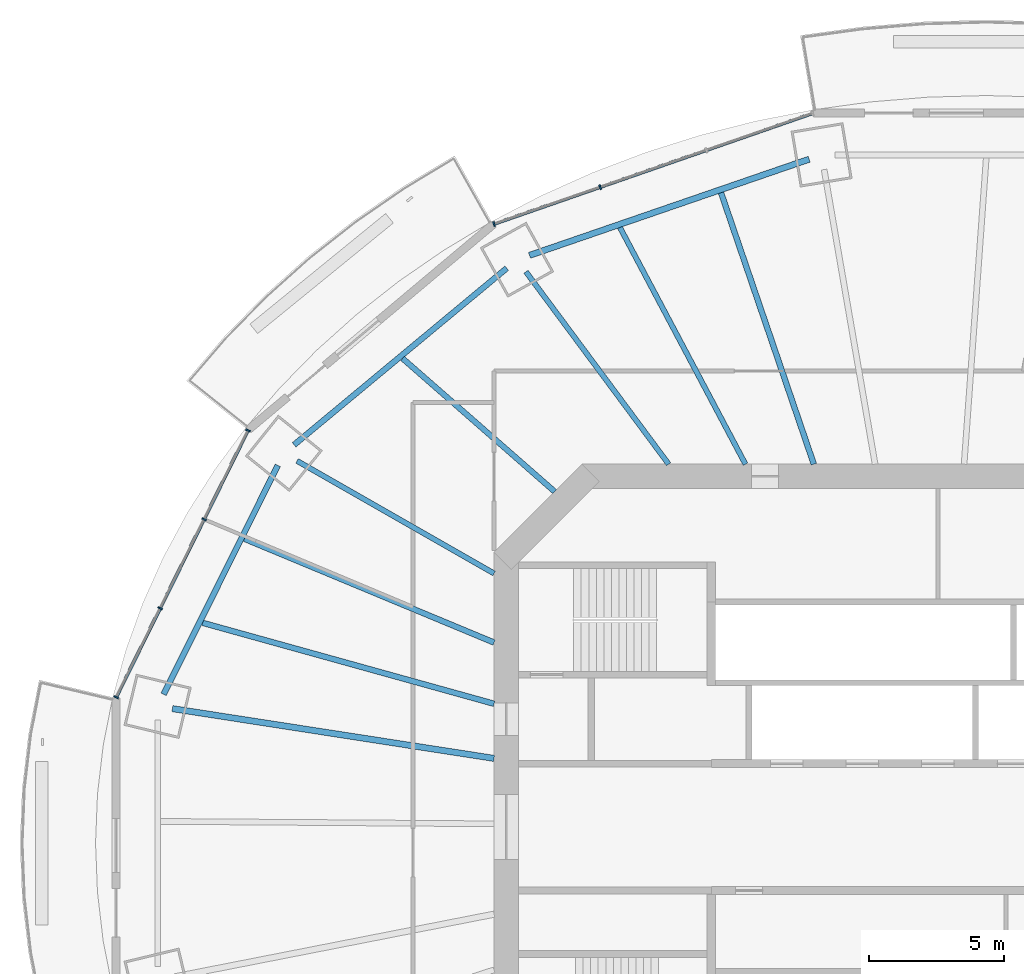
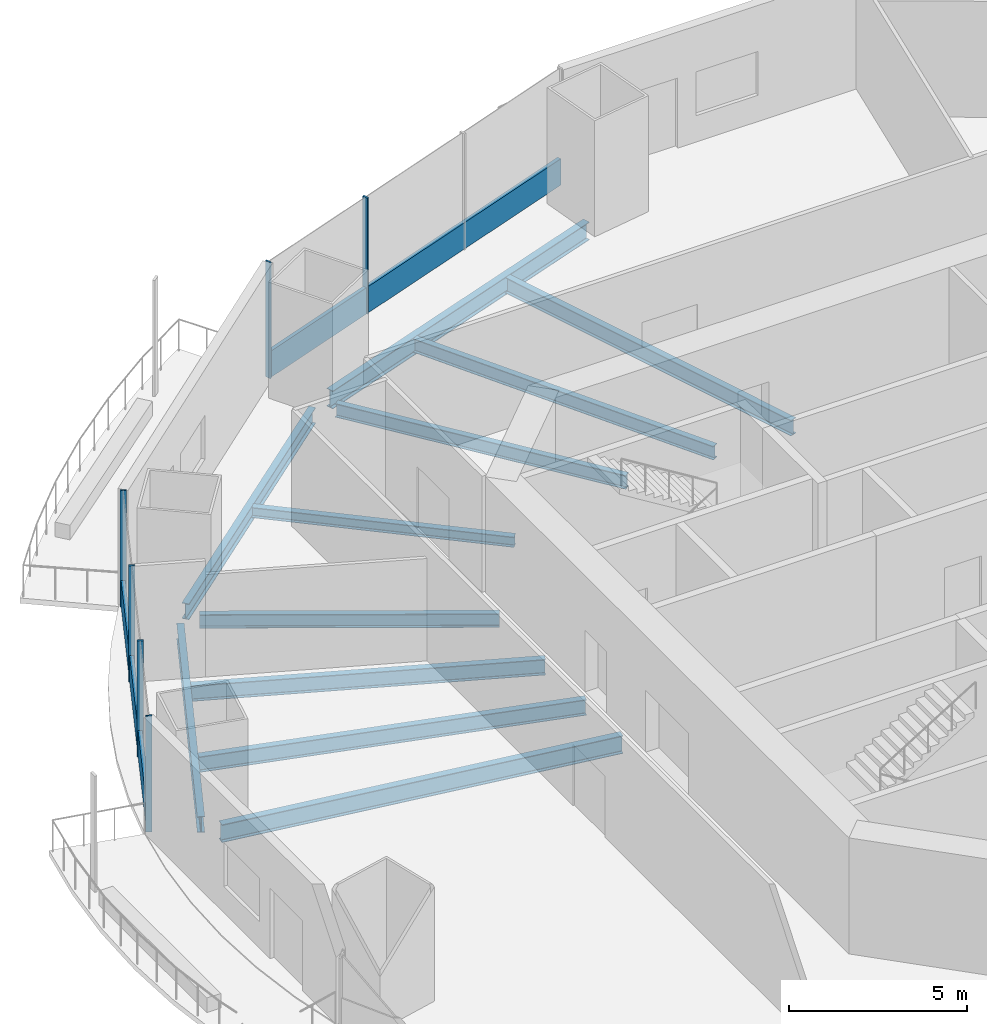
# One storey, part 6 of 21: 11 beams, 8 members, 2 elements without a shape of their own.
"""IFC4 building model written with IfcOpenShell, lengths in metres."""

from ifc_helpers import new_model, si_unit, direction, frame, origin, origin_2d, place, context, subcontext, project, spatial, rectangle, i_section, extrude, material, material_profile, profile_set, type_object, element, aggregate, save


model = new_model("IFC4")

# Units and contexts
model_context = context("Model", 3, precision=1e-05, world=origin(), true_north=direction((0.0, 1.0)))
body_context = subcontext(model_context, "Body", "Model", "MODEL_VIEW")
ifc_project = project(units=[si_unit("LENGTHUNIT", "METRE"), si_unit("AREAUNIT", "SQUARE_METRE"), si_unit("VOLUMEUNIT", "CUBIC_METRE"), si_unit("PLANEANGLEUNIT", "RADIAN"), si_unit("MASSUNIT", "GRAM", prefix="KILO")], contexts=[model_context])

# Site, building, storey
site_placement = place(None, origin())
site = spatial("IfcSite", under=ifc_project, at=site_placement, CompositionType="ELEMENT")
building_placement = place(site_placement, origin())
building = spatial("IfcBuilding", under=site, at=building_placement, Name="Marenthal Gate Tower", CompositionType="ELEMENT")
storey_placement = place(building_placement, frame((0.0, 0.0, 169.35009765625)))
storey = spatial("IfcBuildingStorey", under=building, at=storey_placement, Name="L36", CompositionType="ELEMENT", Elevation=169.35009765625)

# Curtain wall, members
ifc_material_1 = material(Name="Aluminium and glass", Category="aluminium")
curtain_wall_type = type_object("IfcCurtainWallType", Name="Curtain wall typical mid", PredefinedType="NOTDEFINED", material=ifc_material_1)
curtain_wall_1_placement = place(storey_placement, origin())
curtain_wall_1 = element("IfcCurtainWall", 1, at=curtain_wall_1_placement, inside=storey, type_object=curtain_wall_type, Name="Curtain wall L36 bay 5", PredefinedType="NOTDEFINED")
ifc_material_2 = material(Name="Aluminium", Category="aluminium")
ifc_material_profile_1 = material_profile(ifc_material_2, rectangle(XDim=0.179931640625, YDim=0.06005859375, at=origin_2d()), Name="60x180 aluminium mullion")
ifc_profile_set_1 = profile_set([ifc_material_profile_1], Name="Aluminium")
member_type_1 = type_object("IfcMemberType", Name="Mullion 60x180 typical mid", PredefinedType="MULLION", material=ifc_profile_set_1)
member_1_placement = place(storey_placement, frame((-12.51513671875, 23.718505859375, 0.0), z_axis=(0.0, 0.0, 1.0), x_axis=(0.328157600538, -0.944622987868, 0.0)))
member_1 = element("IfcMember", 2, at=member_1_placement, type_object=member_type_1, Name="Mullion L36 bay 5.3", PredefinedType="MULLION", context=body_context, shape_type="SweptSolid", body=[
    extrude(rectangle(XDim=0.179931640625, YDim=0.06005859375, at=origin_2d()), origin(), (0.0, 0.0, 1.0), 3.969970703125),
])
member_2_placement = place(storey_placement, frame((-16.44921875, 22.351806640625, 0.0), z_axis=(0.0, 0.0, 1.0), x_axis=(0.328157600538, -0.944622987868, 0.0)))
member_2 = element("IfcMember", 3, at=member_2_placement, type_object=member_type_1, Name="Mullion L36 bay 5.4", PredefinedType="MULLION", context=body_context, shape_type="SweptSolid", body=[
    extrude(rectangle(XDim=0.179931640625, YDim=0.06005859375, at=origin_2d()), origin(), (0.0, 0.0, 1.0), 3.969970703125),
])

curtain_wall_2_placement = place(storey_placement, origin())
curtain_wall_2 = element("IfcCurtainWall", 4, at=curtain_wall_2_placement, inside=storey, type_object=curtain_wall_type, Name="Curtain wall L36 bay 7", PredefinedType="NOTDEFINED")
member_3_placement = place(storey_placement, frame((-25.56787109375, 14.702392578125, 0.0), z_axis=(0.0, 0.0, 1.0), x_axis=(0.896608747182, -0.442823615536, 0.0)))
member_3 = element("IfcMember", 5, at=member_3_placement, type_object=member_type_1, Name="Mullion L36 bay 7.1", PredefinedType="MULLION", context=body_context, shape_type="SweptSolid", body=[
    extrude(rectangle(XDim=0.179931640625, YDim=0.06005859375, at=origin_2d()), origin(), (0.0, 0.0, 1.0), 3.969970703125),
])
member_4_placement = place(storey_placement, frame((-27.1962890625, 11.40478515625, 0.0), z_axis=(0.0, 0.0, 1.0), x_axis=(0.896608747182, -0.442823615536, 0.0)))
member_4 = element("IfcMember", 6, at=member_4_placement, type_object=member_type_1, Name="Mullion L36 bay 7.2", PredefinedType="MULLION", context=body_context, shape_type="SweptSolid", body=[
    extrude(rectangle(XDim=0.179931640625, YDim=0.06005859375, at=origin_2d()), origin(), (0.0, 0.0, 1.0), 3.969970703125),
])
member_5_placement = place(storey_placement, frame((-28.824951171875, 8.107421875, 0.0), z_axis=(0.0, 0.0, 1.0), x_axis=(0.896608747182, -0.442823615536, 0.0)))
member_5 = element("IfcMember", 7, at=member_5_placement, type_object=member_type_1, Name="Mullion L36 bay 7.3", PredefinedType="MULLION", context=body_context, shape_type="SweptSolid", body=[
    extrude(rectangle(XDim=0.179931640625, YDim=0.06005859375, at=origin_2d()), origin(), (0.0, 0.0, 1.0), 3.969970703125),
])
member_6_placement = place(storey_placement, frame((-30.45361328125, 4.809814453125, 0.0), z_axis=(0.0, 0.0, 1.0), x_axis=(0.896608747182, -0.442823615536, 0.0)))
member_6 = element("IfcMember", 8, at=member_6_placement, type_object=member_type_1, Name="Mullion L36 bay 7.4", PredefinedType="MULLION", context=body_context, shape_type="SweptSolid", body=[
    extrude(rectangle(XDim=0.179931640625, YDim=0.06005859375, at=origin_2d()), origin(), (0.0, 0.0, 1.0), 3.969970703125),
])

# Member
ifc_material_3 = material(Name="Aluminium", Category="aluminium")
ifc_material_profile_2 = material_profile(ifc_material_3, rectangle(XDim=0.1201171875, YDim=0.89990234375, at=origin_2d()), Name="120x900 aluminium transom")
ifc_profile_set_2 = profile_set([ifc_material_profile_2], Name="Aluminium")
member_type_2 = type_object("IfcMemberType", Name="Transom 120x900 typical mid", PredefinedType="USERDEFINED", material=ifc_profile_set_2)
member_7_placement = place(storey_placement, frame((-4.675048828125, 26.442138671875, 0.449951171875), z_axis=(-0.944620163821, -0.328165729628, 0.0), x_axis=(0.328165729628, -0.944620163821, 0.0)))
member_7 = element("IfcMember", 9, at=member_7_placement, type_object=member_type_2, Name="Transom L36 bay 5", ObjectType="TRANSOM", PredefinedType="USERDEFINED", context=body_context, shape_type="SweptSolid", body=[
    extrude(rectangle(XDim=0.1201171875, YDim=0.89990234375, at=origin_2d()), origin(), (0.0, 0.0, 1.0), 12.4345703125),
])

aggregate(curtain_wall_1, [member_1, member_2, member_7])

member_8_placement = place(storey_placement, frame((-25.5810546875, 14.675537109375, 0.449951171875), z_axis=(-0.442829775425, -0.896605704865, 0.0), x_axis=(0.896605704865, -0.442829775425, 0.0)))
member_8 = element("IfcMember", 10, at=member_8_placement, type_object=member_type_2, Name="Transom L36 bay 7", ObjectType="TRANSOM", PredefinedType="USERDEFINED", context=body_context, shape_type="SweptSolid", body=[
    extrude(rectangle(XDim=0.1201171875, YDim=0.89990234375, at=origin_2d()), origin(), (0.0, 0.0, 1.0), 10.973388671875),
])

aggregate(curtain_wall_2, [member_3, member_4, member_5, member_6, member_8])

# Beams
ifc_material_4 = material(Name="Steel S355", Category="steel")
ifc_material_profile_3 = material_profile(ifc_material_4, i_section(OverallWidth=0.205078125, OverallDepth=0.35302734375, WebThickness=0.009521484375, FlangeThickness=0.016845703125, FilletRadius=0.014892578125, at=origin_2d()), Name="W360X79")
ifc_profile_set_3 = profile_set([ifc_material_profile_3], Name="Steel S355")
beam_type_1 = type_object("IfcBeamType", Name="W360X79 beam", PredefinedType="BEAM", material=ifc_profile_set_3)
beam_1_placement = place(storey_placement, frame((-19.839599609375, 17.369140625, -0.356689453125), z_axis=(0.752394995709, -0.658712206075, 0.0), x_axis=(0.658712206075, 0.752394995709, 0.0)))
element("IfcBeam", 11, at=beam_1_placement, inside=storey, type_object=beam_type_1, Name="BM-L36-25", PredefinedType="BEAM", context=body_context, shape_type="SweptSolid", body=[
    extrude(i_section(OverallWidth=0.205078125, OverallDepth=0.35302734375, WebThickness=0.009521484375, FlangeThickness=0.016845703125, FilletRadius=0.014892578125, at=origin_2d()), origin(), (0.0, 0.0, 1.0), 7.492431640625),
])
ifc_material_5 = material(Name="Steel S355", Category="steel")
ifc_material_profile_4 = material_profile(ifc_material_5, i_section(OverallWidth=0.193115234375, OverallDepth=0.467041015625, WebThickness=0.011474609375, FlangeThickness=0.01904296875, FilletRadius=0.010009765625, at=origin_2d()), Name="W460X97")
ifc_profile_set_4 = profile_set([ifc_material_profile_4], Name="Steel S355")
beam_type_2 = type_object("IfcBeamType", Name="W460X97 beam", PredefinedType="BEAM", material=ifc_profile_set_4)
beam_2_placement = place(storey_placement, frame((-15.2666015625, 20.5791015625, -0.41357421875), z_axis=(0.595789127557, -0.80314090637, 0.0), x_axis=(0.80314090637, 0.595789127557, 0.0)))
element("IfcBeam", 12, at=beam_2_placement, inside=storey, type_object=beam_type_2, Name="BM-L36-06", PredefinedType="BEAM", context=body_context, shape_type="SweptSolid", body=[
    extrude(i_section(OverallWidth=0.193115234375, OverallDepth=0.467041015625, WebThickness=0.011474609375, FlangeThickness=0.01904296875, FilletRadius=0.010009765625, at=origin_2d()), origin(), (0.0, 0.0, 1.0), 8.876708984375),
])
beam_3_placement = place(storey_placement, frame((-23.751708984375, 13.572021484375, -0.41357421875), z_axis=(0.868246715097, -0.496132685603, 0.0), x_axis=(0.496132685603, 0.868246715097, 0.0)))
element("IfcBeam", 13, at=beam_3_placement, inside=storey, type_object=beam_type_2, Name="BM-L36-07", PredefinedType="BEAM", context=body_context, shape_type="SweptSolid", body=[
    extrude(i_section(OverallWidth=0.193115234375, OverallDepth=0.467041015625, WebThickness=0.011474609375, FlangeThickness=0.01904296875, FilletRadius=0.010009765625, at=origin_2d()), origin(), (0.0, 0.0, 1.0), 8.40966796875),
])
beam_4_placement = place(storey_placement, frame((-11.7822265625, 22.220458984375, -0.41357421875), z_axis=(0.468452605339, -0.883488628422, 0.0), x_axis=(0.883488628422, 0.468452605339, 0.0)))
element("IfcBeam", 14, at=beam_4_placement, inside=storey, type_object=beam_type_2, Name="BM-L36-24", PredefinedType="BEAM", context=body_context, shape_type="SweptSolid", body=[
    extrude(i_section(OverallWidth=0.193115234375, OverallDepth=0.467041015625, WebThickness=0.011474609375, FlangeThickness=0.01904296875, FilletRadius=0.010009765625, at=origin_2d()), origin(), (0.0, 0.0, 1.0), 9.92724609375),
])
ifc_material_6 = material(Name="Steel S355", Category="steel")
ifc_material_profile_5 = material_profile(ifc_material_6, i_section(OverallWidth=0.2099609375, OverallDepth=0.535888671875, WebThickness=0.010986328125, FlangeThickness=0.017333984375, FilletRadius=0.0126953125, at=origin_2d()), Name="W530X101")
ifc_profile_set_5 = profile_set([ifc_material_profile_5], Name="Steel S355")
beam_type_3 = type_object("IfcBeamType", Name="W530X101 beam", PredefinedType="BEAM", material=ifc_profile_set_5)
beam_5_placement = place(storey_placement, frame((-8.036376953125, 23.50927734375, -0.447998046875), z_axis=(0.323466388844, -0.946239660598, 0.0), x_axis=(0.946239660598, 0.323466388844, 0.0)))
element("IfcBeam", 15, at=beam_5_placement, inside=storey, type_object=beam_type_3, Name="BM-L36-23", PredefinedType="BEAM", context=body_context, shape_type="SweptSolid", body=[
    extrude(i_section(OverallWidth=0.2099609375, OverallDepth=0.535888671875, WebThickness=0.010986328125, FlangeThickness=0.017333984375, FilletRadius=0.0126953125, at=origin_2d()), origin(), (0.0, 0.0, 1.0), 10.630859375),
])
beam_6_placement = place(storey_placement, frame((-25.701416015625, 10.68505859375, -0.447998046875), z_axis=(0.923380867193, -0.38388510534, 0.0), x_axis=(0.38388510534, 0.923380867193, 0.0)))
element("IfcBeam", 16, at=beam_6_placement, inside=storey, type_object=beam_type_3, Name="BM-L36-26", PredefinedType="BEAM", context=body_context, shape_type="SweptSolid", body=[
    extrude(i_section(OverallWidth=0.2099609375, OverallDepth=0.535888671875, WebThickness=0.010986328125, FlangeThickness=0.017333984375, FilletRadius=0.0126953125, at=origin_2d()), origin(), (0.0, 0.0, 1.0), 10.01904296875),
])
beam_7_placement = place(storey_placement, frame((-27.25439453125, 7.5712890625, -0.447998046875), z_axis=(0.963512606845, -0.26766295308, 0.0), x_axis=(0.26766295308, 0.963512606845, 0.0)))
element("IfcBeam", 17, at=beam_7_placement, inside=storey, type_object=beam_type_3, Name="BM-L36-27", PredefinedType="BEAM", context=body_context, shape_type="SweptSolid", body=[
    extrude(i_section(OverallWidth=0.2099609375, OverallDepth=0.535888671875, WebThickness=0.010986328125, FlangeThickness=0.017333984375, FilletRadius=0.0126953125, at=origin_2d()), origin(), (0.0, 0.0, 1.0), 11.213623046875),
])
ifc_material_7 = material(Name="Steel S355", Category="steel")
ifc_material_profile_6 = material_profile(ifc_material_7, i_section(OverallWidth=0.2119140625, OverallDepth=0.5439453125, WebThickness=0.01318359375, FlangeThickness=0.021240234375, FilletRadius=0.0126953125, at=origin_2d()), Name="W530X123")
ifc_profile_set_6 = profile_set([ifc_material_profile_6], Name="Steel S355")
beam_type_4 = type_object("IfcBeamType", Name="W530X123 beam", PredefinedType="BEAM", material=ifc_profile_set_6)
beam_8_placement = place(storey_placement, frame((-15.978515625, 20.713623046875, -0.4521484375), z_axis=(-0.769269111774, -0.638924904563, 0.0), x_axis=(0.638924904563, -0.769269111774, 0.0)))
element("IfcBeam", 18, at=beam_8_placement, inside=storey, type_object=beam_type_4, Name="BM-L36-46", PredefinedType="BEAM", context=body_context, shape_type="SweptSolid", body=[
    extrude(i_section(OverallWidth=0.2119140625, OverallDepth=0.5439453125, WebThickness=0.01318359375, FlangeThickness=0.021240234375, FilletRadius=0.0126953125, at=origin_2d()), origin(), (0.0, 0.0, 1.0), 10.24560546875),
])
beam_9_placement = place(storey_placement, frame((-24.462890625, 13.406005859375, -0.4521484375), z_axis=(-0.446296506962, -0.894885147868, 0.0), x_axis=(0.894885147868, -0.446296506962, 0.0)))
element("IfcBeam", 19, at=beam_9_placement, inside=storey, type_object=beam_type_4, Name="BM-L36-47", PredefinedType="BEAM", context=body_context, shape_type="SweptSolid", body=[
    extrude(i_section(OverallWidth=0.2119140625, OverallDepth=0.5439453125, WebThickness=0.01318359375, FlangeThickness=0.021240234375, FilletRadius=0.0126953125, at=origin_2d()), origin(), (0.0, 0.0, 1.0), 9.4794921875),
])
ifc_material_8 = material(Name="Steel S355", Category="steel")
ifc_material_profile_7 = material_profile(ifc_material_8, i_section(OverallWidth=0.22900390625, OverallDepth=0.612060546875, WebThickness=0.011962890625, FlangeThickness=0.01953125, FilletRadius=0.0126953125, at=origin_2d()), Name="W610X125")
ifc_profile_set_7 = profile_set([ifc_material_profile_7], Name="Steel S355")
beam_type_5 = type_object("IfcBeamType", Name="W610X125 beam", PredefinedType="BEAM", material=ifc_profile_set_7)
beam_10_placement = place(storey_placement, frame((-28.3701171875, 4.39013671875, -0.486083984375), z_axis=(0.988236058897, -0.152936234737, 0.0), x_axis=(0.152936234737, 0.988236058897, 0.0)))
element("IfcBeam", 20, at=beam_10_placement, inside=storey, type_object=beam_type_5, Name="BM-L36-08", PredefinedType="BEAM", context=body_context, shape_type="SweptSolid", body=[
    extrude(i_section(OverallWidth=0.22900390625, OverallDepth=0.612060546875, WebThickness=0.011962890625, FlangeThickness=0.01953125, FilletRadius=0.0126953125, at=origin_2d()), origin(), (0.0, 0.0, 1.0), 12.06201171875),
])
beam_11_placement = place(storey_placement, frame((-4.772216796875, 24.753173828125, -0.486083984375), z_axis=(-0.945603539449, -0.325321296845, 0.0), x_axis=(0.325321296845, -0.945603539449, 0.0)))
element("IfcBeam", 21, at=beam_11_placement, inside=storey, type_object=beam_type_5, Name="BM-L36-45", PredefinedType="BEAM", context=body_context, shape_type="SweptSolid", body=[
    extrude(i_section(OverallWidth=0.22900390625, OverallDepth=0.612060546875, WebThickness=0.011962890625, FlangeThickness=0.01953125, FilletRadius=0.0126953125, at=origin_2d()), origin(), (0.0, 0.0, 1.0), 10.96044921875),
])

save(model, "model.ifc")
